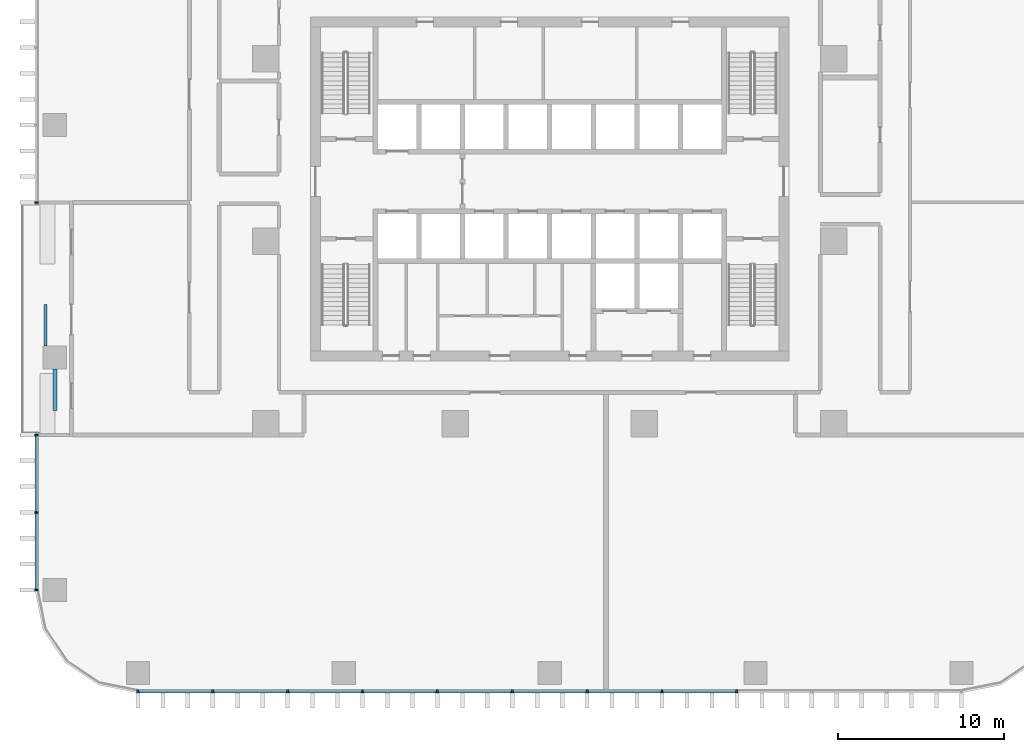
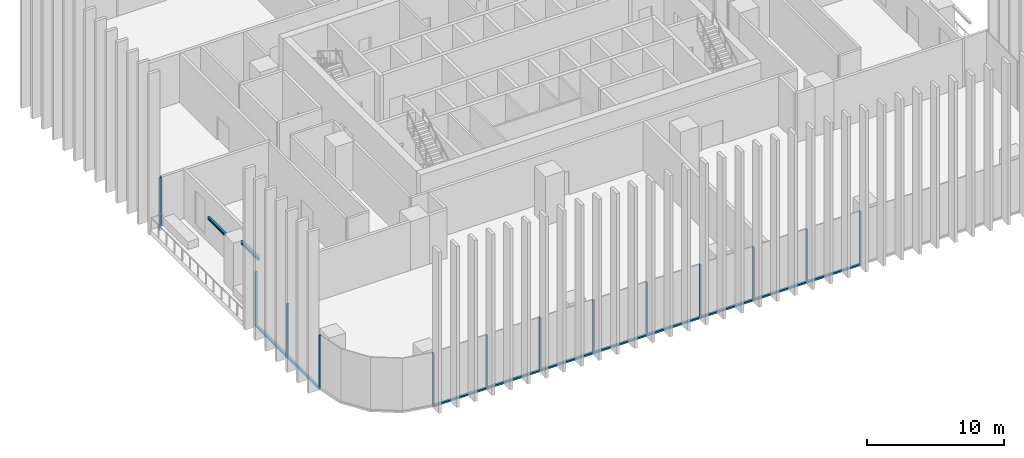
# One storey, part 2 of 17: 23 members, 2 beams, 3 elements without a shape of their own.
"""IFC4 building model written with IfcOpenShell, lengths in metres."""

from ifc_helpers import new_model, si_unit, direction, frame, origin, origin_2d, place, context, subcontext, project, spatial, rectangle, i_section, extrude, material, material_profile, profile_set, type_object, element, aggregate, save


model = new_model("IFC4")

# Units and contexts
model_context = context("Model", 3, precision=1e-05, world=origin(), true_north=direction((0.0, 1.0)))
body_context = subcontext(model_context, "Body", "Model", "MODEL_VIEW")
ifc_project = project(units=[si_unit("LENGTHUNIT", "METRE"), si_unit("AREAUNIT", "SQUARE_METRE"), si_unit("VOLUMEUNIT", "CUBIC_METRE"), si_unit("PLANEANGLEUNIT", "RADIAN"), si_unit("MASSUNIT", "GRAM", prefix="KILO")], contexts=[model_context])

# Site, building, storey
site_placement = place(None, origin())
site = spatial("IfcSite", under=ifc_project, at=site_placement, CompositionType="ELEMENT")
building_placement = place(site_placement, origin())
building = spatial("IfcBuilding", under=site, at=building_placement, Name="Mopane Tessera Tower", CompositionType="ELEMENT")
storey_placement = place(building_placement, frame((0.0, 0.0, 31.0)))
storey = spatial("IfcBuildingStorey", under=building, at=storey_placement, Name="L05", CompositionType="ELEMENT", Elevation=31.0)

# Curtain wall, members
ifc_material_1 = material(Name="Aluminium frame", Category="aluminium")
curtain_wall_type = type_object("IfcCurtainWallType", Name="Lower tower unitised wall", PredefinedType="NOTDEFINED", material=ifc_material_1)
curtain_wall_1_placement = place(storey_placement, origin())
curtain_wall_1 = element("IfcCurtainWall", 1, at=curtain_wall_1_placement, inside=storey, type_object=curtain_wall_type, Name="e:cw:L05:S:0", PredefinedType="NOTDEFINED")
ifc_material_2 = material(Name="Aluminium frame", Category="aluminium")
ifc_material_profile_1 = material_profile(ifc_material_2, rectangle(XDim=0.110107421875, YDim=0.199951171875, at=origin_2d()))
ifc_profile_set_1 = profile_set([ifc_material_profile_1], Name="Aluminium frame")
member_type_1 = type_object("IfcMemberType", Name="Aluminium mullion 110 x 200", PredefinedType="MULLION", material=ifc_profile_set_1)
member_1_placement = place(storey_placement, frame((-24.800048828125, -27.10009765625, -0.449951171875), z_axis=(0.0, 0.0, 1.0), x_axis=(1.0, 0.0, 0.0)))
member_1 = element("IfcMember", 2, at=member_1_placement, type_object=member_type_1, Name="e:cw:L05:S:0:mu0", PredefinedType="MULLION", context=body_context, shape_type="SweptSolid", body=[
    extrude(rectangle(XDim=0.110107421875, YDim=0.199951171875, at=origin_2d()), origin(), (0.0, 0.0, 1.0), 4.800048828125),
])
member_2_placement = place(storey_placement, frame((-20.291015625, -27.10009765625, -0.449951171875), z_axis=(0.0, 0.0, 1.0), x_axis=(1.0, 0.0, 0.0)))
member_2 = element("IfcMember", 3, at=member_2_placement, type_object=member_type_1, Name="e:cw:L05:S:0:mu1", PredefinedType="MULLION", context=body_context, shape_type="SweptSolid", body=[
    extrude(rectangle(XDim=0.110107421875, YDim=0.199951171875, at=origin_2d()), origin(), (0.0, 0.0, 1.0), 4.800048828125),
])
member_3_placement = place(storey_placement, frame((-15.78173828125, -27.10009765625, -0.449951171875), z_axis=(0.0, 0.0, 1.0), x_axis=(1.0, 0.0, 0.0)))
member_3 = element("IfcMember", 4, at=member_3_placement, type_object=member_type_1, Name="e:cw:L05:S:0:mu2", PredefinedType="MULLION", context=body_context, shape_type="SweptSolid", body=[
    extrude(rectangle(XDim=0.110107421875, YDim=0.199951171875, at=origin_2d()), origin(), (0.0, 0.0, 1.0), 4.800048828125),
])
member_4_placement = place(storey_placement, frame((-11.272705078125, -27.10009765625, -0.449951171875), z_axis=(0.0, 0.0, 1.0), x_axis=(1.0, 0.0, 0.0)))
member_4 = element("IfcMember", 5, at=member_4_placement, type_object=member_type_1, Name="e:cw:L05:S:0:mu3", PredefinedType="MULLION", context=body_context, shape_type="SweptSolid", body=[
    extrude(rectangle(XDim=0.110107421875, YDim=0.199951171875, at=origin_2d()), origin(), (0.0, 0.0, 1.0), 4.800048828125),
])
member_5_placement = place(storey_placement, frame((-6.763671875, -27.10009765625, -0.449951171875), z_axis=(0.0, 0.0, 1.0), x_axis=(1.0, 0.0, 0.0)))
member_5 = element("IfcMember", 6, at=member_5_placement, type_object=member_type_1, Name="e:cw:L05:S:0:mu4", PredefinedType="MULLION", context=body_context, shape_type="SweptSolid", body=[
    extrude(rectangle(XDim=0.110107421875, YDim=0.199951171875, at=origin_2d()), origin(), (0.0, 0.0, 1.0), 4.800048828125),
])
member_6_placement = place(storey_placement, frame((-2.254638671875, -27.10009765625, -0.449951171875), z_axis=(0.0, 0.0, 1.0), x_axis=(1.0, 0.0, 0.0)))
member_6 = element("IfcMember", 7, at=member_6_placement, type_object=member_type_1, Name="e:cw:L05:S:0:mu5", PredefinedType="MULLION", context=body_context, shape_type="SweptSolid", body=[
    extrude(rectangle(XDim=0.110107421875, YDim=0.199951171875, at=origin_2d()), origin(), (0.0, 0.0, 1.0), 4.800048828125),
])
member_7_placement = place(storey_placement, frame((2.254638671875, -27.10009765625, -0.449951171875), z_axis=(0.0, 0.0, 1.0), x_axis=(1.0, 0.0, 0.0)))
member_7 = element("IfcMember", 8, at=member_7_placement, type_object=member_type_1, Name="e:cw:L05:S:0:mu6", PredefinedType="MULLION", context=body_context, shape_type="SweptSolid", body=[
    extrude(rectangle(XDim=0.110107421875, YDim=0.199951171875, at=origin_2d()), origin(), (0.0, 0.0, 1.0), 4.800048828125),
])
member_8_placement = place(storey_placement, frame((6.763671875, -27.10009765625, -0.449951171875), z_axis=(0.0, 0.0, 1.0), x_axis=(1.0, 0.0, 0.0)))
member_8 = element("IfcMember", 9, at=member_8_placement, type_object=member_type_1, Name="e:cw:L05:S:0:mu7", PredefinedType="MULLION", context=body_context, shape_type="SweptSolid", body=[
    extrude(rectangle(XDim=0.110107421875, YDim=0.199951171875, at=origin_2d()), origin(), (0.0, 0.0, 1.0), 4.800048828125),
])
member_9_placement = place(storey_placement, frame((11.272705078125, -27.10009765625, -0.449951171875), z_axis=(0.0, 0.0, 1.0), x_axis=(1.0, 0.0, 0.0)))
member_9 = element("IfcMember", 10, at=member_9_placement, type_object=member_type_1, Name="e:cw:L05:S:0:mu8", PredefinedType="MULLION", context=body_context, shape_type="SweptSolid", body=[
    extrude(rectangle(XDim=0.110107421875, YDim=0.199951171875, at=origin_2d()), origin(), (0.0, 0.0, 1.0), 4.800048828125),
])

# Curtain wall, member
curtain_wall_2_placement = place(storey_placement, origin())
curtain_wall_2 = element("IfcCurtainWall", 11, at=curtain_wall_2_placement, inside=storey, type_object=curtain_wall_type, Name="e:cw:L05:W:0", PredefinedType="NOTDEFINED")
member_10_placement = place(storey_placement, frame((-30.89990234375, 2.333251953125, -0.449951171875), z_axis=(0.0, 0.0, 1.0), x_axis=(0.0, -1.0, 0.0)))
member_10 = element("IfcMember", 12, at=member_10_placement, type_object=member_type_1, Name="e:cw:L05:W:0:mu4", PredefinedType="MULLION", context=body_context, shape_type="SweptSolid", body=[
    extrude(rectangle(XDim=0.110107421875, YDim=0.199951171875, at=origin_2d()), origin(), (0.0, 0.0, 1.0), 4.800048828125),
])
aggregate(curtain_wall_2, [member_10])

# Curtain wall, members
curtain_wall_3_placement = place(storey_placement, origin())
curtain_wall_3 = element("IfcCurtainWall", 13, at=curtain_wall_3_placement, inside=storey, type_object=curtain_wall_type, Name="e:cw:L05:W:7", PredefinedType="NOTDEFINED")
member_11_placement = place(storey_placement, frame((-30.89990234375, -11.666748046875, -0.449951171875), z_axis=(0.0, 0.0, 1.0), x_axis=(0.0, -1.0, 0.0)))
member_11 = element("IfcMember", 14, at=member_11_placement, type_object=member_type_1, Name="e:cw:L05:W:7:mu7", PredefinedType="MULLION", context=body_context, shape_type="SweptSolid", body=[
    extrude(rectangle(XDim=0.110107421875, YDim=0.199951171875, at=origin_2d()), origin(), (0.0, 0.0, 1.0), 4.800048828125),
])
member_12_placement = place(storey_placement, frame((-30.89990234375, -16.333251953125, -0.449951171875), z_axis=(0.0, 0.0, 1.0), x_axis=(0.0, -1.0, 0.0)))
member_12 = element("IfcMember", 15, at=member_12_placement, type_object=member_type_1, Name="e:cw:L05:W:7:mu8", PredefinedType="MULLION", context=body_context, shape_type="SweptSolid", body=[
    extrude(rectangle(XDim=0.110107421875, YDim=0.199951171875, at=origin_2d()), origin(), (0.0, 0.0, 1.0), 4.800048828125),
])
member_13_placement = place(storey_placement, frame((-30.89990234375, -21.0, -0.449951171875), z_axis=(0.0, 0.0, 1.0), x_axis=(0.0, -1.0, 0.0)))
member_13 = element("IfcMember", 16, at=member_13_placement, type_object=member_type_1, Name="e:cw:L05:W:7:mu9", PredefinedType="MULLION", context=body_context, shape_type="SweptSolid", body=[
    extrude(rectangle(XDim=0.110107421875, YDim=0.199951171875, at=origin_2d()), origin(), (0.0, 0.0, 1.0), 4.800048828125),
])

# Member
ifc_material_3 = material(Name="Aluminium frame", Category="aluminium")
ifc_material_profile_2 = material_profile(ifc_material_3, rectangle(XDim=0.199951171875, YDim=0.139892578125, at=origin_2d()))
ifc_profile_set_2 = profile_set([ifc_material_profile_2], Name="Aluminium frame")
member_type_2 = type_object("IfcMemberType", Name="Aluminium transom 200 x 140", PredefinedType="USERDEFINED", material=ifc_profile_set_2)
member_14_placement = place(storey_placement, frame((-24.7451171875, -27.10009765625, -0.3798828125), z_axis=(1.0, 0.0, 0.0), x_axis=(0.0, 1.0, 0.0)))
member_14 = element("IfcMember", 17, at=member_14_placement, type_object=member_type_2, Name="e:cw:L05:S:0:tr0", ObjectType="TRANSOM", PredefinedType="USERDEFINED", context=body_context, shape_type="SweptSolid", body=[
    extrude(rectangle(XDim=0.199951171875, YDim=0.139892578125, at=origin_2d()), origin(), (0.0, 0.0, 1.0), 4.399169921875),
])

member_15_placement = place(storey_placement, frame((-20.23583984375, -27.10009765625, -0.3798828125), z_axis=(1.0, 0.0, 0.0), x_axis=(0.0, 1.0, 0.0)))
member_15 = element("IfcMember", 18, at=member_15_placement, type_object=member_type_2, Name="e:cw:L05:S:0:tr1", ObjectType="TRANSOM", PredefinedType="USERDEFINED", context=body_context, shape_type="SweptSolid", body=[
    extrude(rectangle(XDim=0.199951171875, YDim=0.139892578125, at=origin_2d()), origin(), (0.0, 0.0, 1.0), 4.39892578125),
])

member_16_placement = place(storey_placement, frame((-15.726806640625, -27.10009765625, -0.3798828125), z_axis=(1.0, 0.0, 0.0), x_axis=(0.0, 1.0, 0.0)))
member_16 = element("IfcMember", 19, at=member_16_placement, type_object=member_type_2, Name="e:cw:L05:S:0:tr2", ObjectType="TRANSOM", PredefinedType="USERDEFINED", context=body_context, shape_type="SweptSolid", body=[
    extrude(rectangle(XDim=0.199951171875, YDim=0.139892578125, at=origin_2d()), origin(), (0.0, 0.0, 1.0), 4.399169921875),
])

member_17_placement = place(storey_placement, frame((-11.2177734375, -27.10009765625, -0.3798828125), z_axis=(1.0, 0.0, 0.0), x_axis=(0.0, 1.0, 0.0)))
member_17 = element("IfcMember", 20, at=member_17_placement, type_object=member_type_2, Name="e:cw:L05:S:0:tr3", ObjectType="TRANSOM", PredefinedType="USERDEFINED", context=body_context, shape_type="SweptSolid", body=[
    extrude(rectangle(XDim=0.199951171875, YDim=0.139892578125, at=origin_2d()), origin(), (0.0, 0.0, 1.0), 4.399169921875),
])

member_18_placement = place(storey_placement, frame((-6.708740234375, -27.10009765625, -0.3798828125), z_axis=(1.0, 0.0, 0.0), x_axis=(0.0, 1.0, 0.0)))
member_18 = element("IfcMember", 21, at=member_18_placement, type_object=member_type_2, Name="e:cw:L05:S:0:tr4", ObjectType="TRANSOM", PredefinedType="USERDEFINED", context=body_context, shape_type="SweptSolid", body=[
    extrude(rectangle(XDim=0.199951171875, YDim=0.139892578125, at=origin_2d()), origin(), (0.0, 0.0, 1.0), 4.399169921875),
])

member_19_placement = place(storey_placement, frame((-2.199462890625, -27.10009765625, -0.3798828125), z_axis=(1.0, 0.0, 0.0), x_axis=(0.0, 1.0, 0.0)))
member_19 = element("IfcMember", 22, at=member_19_placement, type_object=member_type_2, Name="e:cw:L05:S:0:tr5", ObjectType="TRANSOM", PredefinedType="USERDEFINED", context=body_context, shape_type="SweptSolid", body=[
    extrude(rectangle(XDim=0.199951171875, YDim=0.139892578125, at=origin_2d()), origin(), (0.0, 0.0, 1.0), 4.39892578125),
])

member_20_placement = place(storey_placement, frame((2.3095703125, -27.10009765625, -0.3798828125), z_axis=(1.0, 0.0, 0.0), x_axis=(0.0, 1.0, 0.0)))
member_20 = element("IfcMember", 23, at=member_20_placement, type_object=member_type_2, Name="e:cw:L05:S:0:tr6", ObjectType="TRANSOM", PredefinedType="USERDEFINED", context=body_context, shape_type="SweptSolid", body=[
    extrude(rectangle(XDim=0.199951171875, YDim=0.139892578125, at=origin_2d()), origin(), (0.0, 0.0, 1.0), 4.399169921875),
])

member_21_placement = place(storey_placement, frame((6.818603515625, -27.10009765625, -0.3798828125), z_axis=(1.0, 0.0, 0.0), x_axis=(0.0, 1.0, 0.0)))
member_21 = element("IfcMember", 24, at=member_21_placement, type_object=member_type_2, Name="e:cw:L05:S:0:tr7", ObjectType="TRANSOM", PredefinedType="USERDEFINED", context=body_context, shape_type="SweptSolid", body=[
    extrude(rectangle(XDim=0.199951171875, YDim=0.139892578125, at=origin_2d()), origin(), (0.0, 0.0, 1.0), 4.399169921875),
])

aggregate(curtain_wall_1, [member_1, member_2, member_3, member_4, member_5, member_6, member_7, member_8, member_9, member_14, member_15, member_16, member_17, member_18, member_19, member_20, member_21])

member_22_placement = place(storey_placement, frame((-30.89990234375, -11.7216796875, -0.3798828125), z_axis=(0.0, -1.0, 0.0), x_axis=(1.0, 0.0, 0.0)))
member_22 = element("IfcMember", 25, at=member_22_placement, type_object=member_type_2, Name="e:cw:L05:W:7:tr7", ObjectType="TRANSOM", PredefinedType="USERDEFINED", context=body_context, shape_type="SweptSolid", body=[
    extrude(rectangle(XDim=0.199951171875, YDim=0.139892578125, at=origin_2d()), origin(), (0.0, 0.0, 1.0), 4.556640625),
])

member_23_placement = place(storey_placement, frame((-30.89990234375, -16.388427734375, -0.3798828125), z_axis=(0.0, -1.0, 0.0), x_axis=(1.0, 0.0, 0.0)))
member_23 = element("IfcMember", 26, at=member_23_placement, type_object=member_type_2, Name="e:cw:L05:W:7:tr8", ObjectType="TRANSOM", PredefinedType="USERDEFINED", context=body_context, shape_type="SweptSolid", body=[
    extrude(rectangle(XDim=0.199951171875, YDim=0.139892578125, at=origin_2d()), origin(), (0.0, 0.0, 1.0), 4.556640625),
])

aggregate(curtain_wall_3, [member_11, member_12, member_13, member_22, member_23])

# Beams
ifc_material_4 = material(Name="Structural steel S460", Category="steel")
ifc_material_profile_3 = material_profile(ifc_material_4, i_section(OverallWidth=0.239990234375, OverallDepth=0.239990234375, WebThickness=0.010009765625, FlangeThickness=0.01708984375, FilletRadius=0.02099609375, at=origin_2d()))
ifc_profile_set_3 = profile_set([ifc_material_profile_3], Name="Structural steel S460")
beam_type_1 = type_object("IfcBeamType", Name="Terrace spandrel beam HE 240 B", PredefinedType="SPANDREL", material=ifc_profile_set_3)
beam_1_placement = place(storey_placement, frame((-29.800048828125, -7.702880859375, 4.22998046875), z_axis=(0.0, -1.0, 0.0), x_axis=(1.0, 0.0, 0.0)))
element("IfcBeam", 27, at=beam_1_placement, inside=storey, type_object=beam_type_1, Name="Terrace spandrel beam N3 L06", PredefinedType="SPANDREL", context=body_context, shape_type="SweptSolid", body=[
    extrude(i_section(OverallWidth=0.239990234375, OverallDepth=0.239990234375, WebThickness=0.010009765625, FlangeThickness=0.01708984375, FilletRadius=0.02099609375, at=origin_2d()), origin(), (0.0, 0.0, 1.0), 2.5),
])
ifc_material_5 = material(Name="Structural steel S460", Category="steel")
ifc_material_profile_4 = material_profile(ifc_material_5, i_section(OverallWidth=0.199951171875, OverallDepth=0.199951171875, WebThickness=0.009033203125, FlangeThickness=0.014892578125, FilletRadius=0.01806640625, at=origin_2d()))
ifc_profile_set_4 = profile_set([ifc_material_profile_4], Name="Structural steel S460")
beam_type_2 = type_object("IfcBeamType", Name="Terrace trimmer beam HE 200 B", PredefinedType="BEAM", material=ifc_profile_set_4)
beam_2_placement = place(storey_placement, frame((-30.360107421875, -6.297119140625, 4.25), z_axis=(0.0, 1.0, 0.0), x_axis=(-1.0, 0.0, 0.0)))
element("IfcBeam", 28, at=beam_2_placement, inside=storey, type_object=beam_type_2, Name="Terrace trimmer beam N3 L06", PredefinedType="BEAM", context=body_context, shape_type="SweptSolid", body=[
    extrude(i_section(OverallWidth=0.199951171875, OverallDepth=0.199951171875, WebThickness=0.009033203125, FlangeThickness=0.014892578125, FilletRadius=0.01806640625, at=origin_2d()), origin(), (0.0, 0.0, 1.0), 2.5),
])

save(model, "model.ifc")
